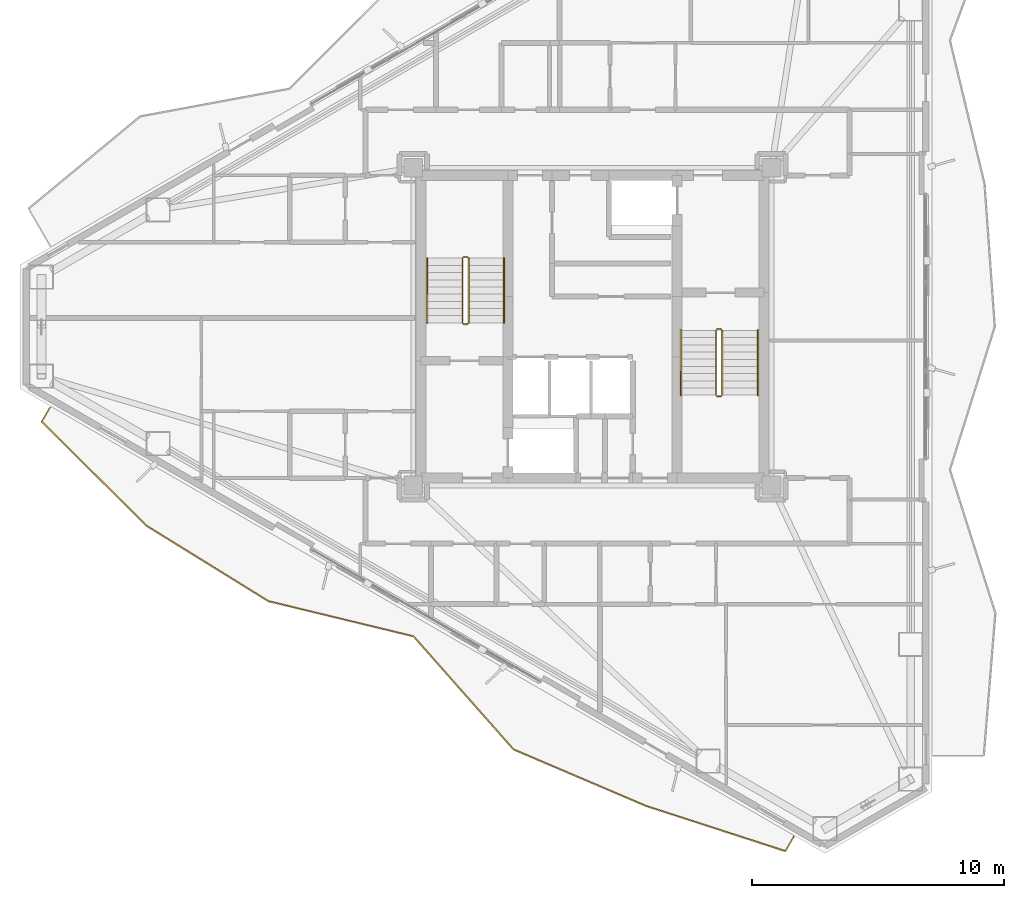
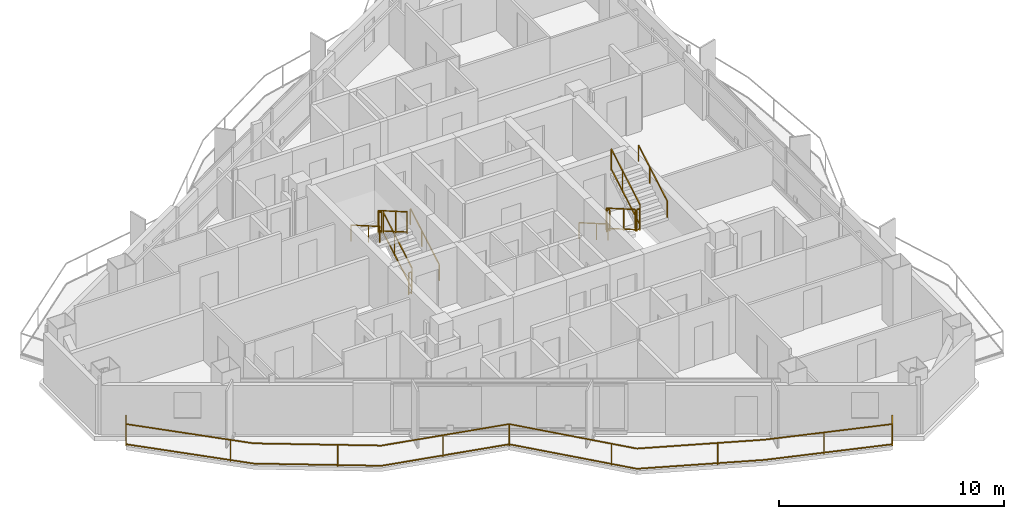
# One storey, part 18 of 19: 13 railings.
"""IFC4 building model written with IfcOpenShell, lengths in metres."""

from ifc_helpers import new_model, si_unit, direction, frame, origin, origin_2d, place, context, subcontext, project, spatial, rectangle, extrude, material, type_object, element, save


model = new_model("IFC4")

# Units and contexts
model_context = context("Model", 3, precision=1e-05, world=origin(), true_north=direction((0.0, 1.0)))
body_context = subcontext(model_context, "Body", "Model", "MODEL_VIEW")
ifc_project = project(units=[si_unit("LENGTHUNIT", "METRE"), si_unit("AREAUNIT", "SQUARE_METRE"), si_unit("VOLUMEUNIT", "CUBIC_METRE"), si_unit("PLANEANGLEUNIT", "RADIAN"), si_unit("MASSUNIT", "GRAM", prefix="KILO")], contexts=[model_context])

# Site, building, storey
site_placement = place(None, origin())
site = spatial("IfcSite", under=ifc_project, at=site_placement, CompositionType="ELEMENT")
building_placement = place(site_placement, origin())
building = spatial("IfcBuilding", under=site, at=building_placement, Name="Mersakhor Tower and Convention Hall", CompositionType="ELEMENT")
storey_placement = place(building_placement, frame((0.0, 0.0, 144.300048828125)))
storey = spatial("IfcBuildingStorey", under=building, at=storey_placement, Name="L40", CompositionType="ELEMENT", Elevation=144.300048828125)

# Railings
ifc_material_1 = material(Name="Powder-coated galvanised steel and laminated glass balustrade", Category="steel")
railing_type_1 = type_object("IfcRailingType", Name="RL-BAL-1200", PredefinedType="BALUSTRADE", material=ifc_material_1)
railing_1_placement = place(storey_placement, frame((7.497802734375, 23.5537109375, 0.0)))
element("IfcRailing", 1, at=railing_1_placement, inside=storey, type_object=railing_type_1, Name="L40 Sinusoidal Balcony Balustrade F3", PredefinedType="BALUSTRADE", context=body_context, shape_type="SweptSolid", body=[
    extrude(rectangle(XDim=0.048095703125, YDim=0.048095703125, at=origin_2d()), frame((0.0, 0.0, 1.17578125), z_axis=(-0.50017749597, -0.865922902183, 0.0), x_axis=(0.865922902183, -0.50017749597, 0.0)), (0.0, 0.0, 1.0), 0.650146484375),
    extrude(rectangle(XDim=0.048095703125, YDim=0.048095703125, at=origin_2d()), frame((0.0, 0.0, 0.080078125), z_axis=(-0.50017749597, -0.865922902183, 0.0), x_axis=(0.865922902183, -0.50017749597, 0.0)), (0.0, 0.0, 1.0), 0.650146484375),
    extrude(rectangle(XDim=0.048095703125, YDim=0.048095703125, at=origin_2d()), frame((-0.3251953125, -0.56298828125, 1.17578125), z_axis=(0.709992259671, -0.704209479635, 0.0), x_axis=(0.704209479635, 0.709992259671, 0.0)), (0.0, 0.0, 1.0), 5.868408203125),
    extrude(rectangle(XDim=0.048095703125, YDim=0.048095703125, at=origin_2d()), frame((-0.3251953125, -0.56298828125, 0.080078125), z_axis=(0.709992259671, -0.704209479635, 0.0), x_axis=(0.704209479635, 0.709992259671, 0.0)), (0.0, 0.0, 1.0), 5.868408203125),
    extrude(rectangle(XDim=0.048095703125, YDim=0.048095703125, at=origin_2d()), frame((3.84130859375, -4.695556640625, 1.17578125), z_axis=(0.850482288722, -0.526003684939, 0.0), x_axis=(0.526003684939, 0.850482288722, 0.0)), (0.0, 0.0, 1.0), 5.677001953125),
    extrude(rectangle(XDim=0.048095703125, YDim=0.048095703125, at=origin_2d()), frame((3.84130859375, -4.695556640625, 0.080078125), z_axis=(0.850482288722, -0.526003684939, 0.0), x_axis=(0.526003684939, 0.850482288722, 0.0)), (0.0, 0.0, 1.0), 5.677001953125),
    extrude(rectangle(XDim=0.048095703125, YDim=0.048095703125, at=origin_2d()), frame((8.66943359375, -7.681640625, 1.17578125), z_axis=(0.971865569679, -0.235536227514, 0.0), x_axis=(0.235536227514, 0.971865569679, 0.0)), (0.0, 0.0, 1.0), 5.91455078125),
    extrude(rectangle(XDim=0.048095703125, YDim=0.048095703125, at=origin_2d()), frame((8.66943359375, -7.681640625, 0.080078125), z_axis=(0.971865569679, -0.235536227514, 0.0), x_axis=(0.235536227514, 0.971865569679, 0.0)), (0.0, 0.0, 1.0), 5.91455078125),
    extrude(rectangle(XDim=0.048095703125, YDim=0.048095703125, at=origin_2d()), frame((14.41748046875, -9.07470703125, 1.17578125), z_axis=(0.662429504194, -0.749124256698, 0.0), x_axis=(0.749124256698, 0.662429504194, 0.0)), (0.0, 0.0, 1.0), 5.984130859375),
    extrude(rectangle(XDim=0.048095703125, YDim=0.048095703125, at=origin_2d()), frame((14.41748046875, -9.07470703125, 0.080078125), z_axis=(0.662429504194, -0.749124256698, 0.0), x_axis=(0.749124256698, 0.662429504194, 0.0)), (0.0, 0.0, 1.0), 5.984130859375),
    extrude(rectangle(XDim=0.048095703125, YDim=0.048095703125, at=origin_2d()), frame((18.381591796875, -13.5576171875, 1.17578125), z_axis=(0.919962659082, -0.39200600237, 0.0), x_axis=(0.39200600237, 0.919962659082, 0.0)), (0.0, 0.0, 1.0), 5.716064453125),
    extrude(rectangle(XDim=0.048095703125, YDim=0.048095703125, at=origin_2d()), frame((18.381591796875, -13.5576171875, 0.080078125), z_axis=(0.919962659082, -0.39200600237, 0.0), x_axis=(0.39200600237, 0.919962659082, 0.0)), (0.0, 0.0, 1.0), 5.716064453125),
    extrude(rectangle(XDim=0.048095703125, YDim=0.048095703125, at=origin_2d()), frame((23.64013671875, -15.79833984375, 1.17578125), z_axis=(0.951243508786, -0.308440897081, 0.0), x_axis=(0.308440897081, 0.951243508786, 0.0)), (0.0, 0.0, 1.0), 5.802001953125),
    extrude(rectangle(XDim=0.048095703125, YDim=0.048095703125, at=origin_2d()), frame((23.64013671875, -15.79833984375, 0.080078125), z_axis=(0.951243508786, -0.308440897081, 0.0), x_axis=(0.308440897081, 0.951243508786, 0.0)), (0.0, 0.0, 1.0), 5.802001953125),
    extrude(rectangle(XDim=0.048095703125, YDim=0.048095703125, at=origin_2d()), frame((29.1591796875, -17.587890625, 1.17578125), z_axis=(0.500165322679, 0.865929933649, 0.0), x_axis=(-0.865929933649, 0.500165322679, 0.0)), (0.0, 0.0, 1.0), 0.652099609375),
    extrude(rectangle(XDim=0.048095703125, YDim=0.048095703125, at=origin_2d()), frame((29.1591796875, -17.587890625, 0.080078125), z_axis=(0.500165322679, 0.865929933649, 0.0), x_axis=(-0.865929933649, 0.500165322679, 0.0)), (0.0, 0.0, 1.0), 0.652099609375),
    extrude(rectangle(XDim=0.0419921875, YDim=0.0419921875, at=origin_2d()), origin(), (0.0, 0.0, 1.0), 1.15185546875),
    extrude(rectangle(XDim=0.0419921875, YDim=0.0419921875, at=origin_2d()), frame((-0.3251953125, -0.56298828125, 0.0)), (0.0, 0.0, 1.0), 1.15185546875),
    extrude(rectangle(XDim=0.0419921875, YDim=0.0419921875, at=origin_2d()), frame((3.082763671875, -3.943115234375, 0.0)), (0.0, 0.0, 1.0), 1.15185546875),
    extrude(rectangle(XDim=0.0419921875, YDim=0.0419921875, at=origin_2d()), frame((7.014892578125, -6.658447265625, 0.0)), (0.0, 0.0, 1.0), 1.15185546875),
    extrude(rectangle(XDim=0.0419921875, YDim=0.0419921875, at=origin_2d()), frame((11.44384765625, -8.35400390625, 0.0)), (0.0, 0.0, 1.0), 1.15185546875),
    extrude(rectangle(XDim=0.0419921875, YDim=0.0419921875, at=origin_2d()), frame((14.41748046875, -9.07470703125, 0.0)), (0.0, 0.0, 1.0), 1.15185546875),
    extrude(rectangle(XDim=0.0419921875, YDim=0.0419921875, at=origin_2d()), frame((17.59716796875, -12.67041015625, 0.0)), (0.0, 0.0, 1.0), 1.15185546875),
    extrude(rectangle(XDim=0.0419921875, YDim=0.0419921875, at=origin_2d()), frame((21.7080078125, -14.97509765625, 0.0)), (0.0, 0.0, 1.0), 1.15185546875),
    extrude(rectangle(XDim=0.0419921875, YDim=0.0419921875, at=origin_2d()), frame((26.208251953125, -16.631103515625, 0.0)), (0.0, 0.0, 1.0), 1.15185546875),
    extrude(rectangle(XDim=0.0419921875, YDim=0.0419921875, at=origin_2d()), frame((29.1591796875, -17.587890625, 0.0)), (0.0, 0.0, 1.0), 1.15185546875),
    extrude(rectangle(XDim=0.0419921875, YDim=0.0419921875, at=origin_2d()), frame((29.4853515625, -17.023193359375, 0.0)), (0.0, 0.0, 1.0), 1.15185546875),
])
ifc_material_2 = material(Name="Brushed stainless steel handrail", Category="steel")
railing_type_2 = type_object("IfcRailingType", Name="RL-HR-900", PredefinedType="HANDRAIL", material=ifc_material_2)
railing_2_placement = place(storey_placement, frame((25.5, 26.89990234375, 0.1650390625)))
element("IfcRailing", 2, at=railing_2_placement, inside=storey, type_object=railing_type_2, Name="L40 ST-1 stair handrail 1", PredefinedType="HANDRAIL", context=body_context, shape_type="SweptSolid", body=[
    extrude(rectangle(XDim=0.048095703125, YDim=0.048095703125, at=origin_2d()), frame((0.0, 0.0, 0.8759765625), z_axis=(0.0, 0.865461999751, 0.500974577186), x_axis=(-1.0, 0.0, 0.0)), (0.0, 0.0, 1.0), 2.9638671875),
    extrude(rectangle(XDim=0.0419921875, YDim=0.0419921875, at=origin_2d()), origin(), (0.0, 0.0, 1.0), 0.851806640625),
    extrude(rectangle(XDim=0.0419921875, YDim=0.0419921875, at=origin_2d()), frame((0.0, 1.557861328125, 0.90185546875)), (0.0, 0.0, 1.0), 0.851806640625),
    extrude(rectangle(XDim=0.0419921875, YDim=0.0419921875, at=origin_2d()), frame((0.0, 2.565185546875, 1.48486328125)), (0.0, 0.0, 1.0), 0.851806640625),
])
railing_3_placement = place(storey_placement, frame((22.449951171875, 29.465087890625, 1.81494140625)))
element("IfcRailing", 3, at=railing_3_placement, inside=storey, type_object=railing_type_2, Name="L40 ST-1 stair handrail 2", PredefinedType="HANDRAIL", context=body_context, shape_type="SweptSolid", body=[
    extrude(rectangle(XDim=0.048095703125, YDim=0.048095703125, at=origin_2d()), frame((0.0, 0.0, 0.8759765625), z_axis=(0.0, -0.865426285481, 0.501036270542), x_axis=(1.0, 0.0, 0.0)), (0.0, 0.0, 1.0), 2.964111328125),
    extrude(rectangle(XDim=0.0419921875, YDim=0.0419921875, at=origin_2d()), origin(), (0.0, 0.0, 1.0), 0.851806640625),
    extrude(rectangle(XDim=0.0419921875, YDim=0.0419921875, at=origin_2d()), frame((0.0, -1.557861328125, 0.90185546875)), (0.0, 0.0, 1.0), 0.851806640625),
    extrude(rectangle(XDim=0.0419921875, YDim=0.0419921875, at=origin_2d()), frame((0.0, -2.565185546875, 1.485107421875)), (0.0, 0.0, 1.0), 0.851806640625),
])
railing_4_placement = place(storey_placement, frame((32.5, 26.60009765625, 0.1650390625)))
element("IfcRailing", 4, at=railing_4_placement, inside=storey, type_object=railing_type_2, Name="L40 ST-2 stair handrail 1", PredefinedType="HANDRAIL", context=body_context, shape_type="SweptSolid", body=[
    extrude(rectangle(XDim=0.048095703125, YDim=0.048095703125, at=origin_2d()), frame((0.0, 0.0, 0.8759765625), z_axis=(0.0, -0.865461999751, 0.500974577186), x_axis=(1.0, 0.0, 0.0)), (0.0, 0.0, 1.0), 2.9638671875),
    extrude(rectangle(XDim=0.0419921875, YDim=0.0419921875, at=origin_2d()), origin(), (0.0, 0.0, 1.0), 0.851806640625),
    extrude(rectangle(XDim=0.0419921875, YDim=0.0419921875, at=origin_2d()), frame((0.0, -1.557861328125, 0.90185546875)), (0.0, 0.0, 1.0), 0.851806640625),
    extrude(rectangle(XDim=0.0419921875, YDim=0.0419921875, at=origin_2d()), frame((0.0, -2.565185546875, 1.48486328125)), (0.0, 0.0, 1.0), 0.851806640625),
])
railing_5_placement = place(storey_placement, frame((35.550048828125, 24.034912109375, 1.81494140625)))
element("IfcRailing", 5, at=railing_5_placement, inside=storey, type_object=railing_type_2, Name="L40 ST-2 stair handrail 2", PredefinedType="HANDRAIL", context=body_context, shape_type="SweptSolid", body=[
    extrude(rectangle(XDim=0.048095703125, YDim=0.048095703125, at=origin_2d()), frame((0.0, 0.0, 0.8759765625), z_axis=(0.0, 0.865426285481, 0.501036270542), x_axis=(-1.0, 0.0, 0.0)), (0.0, 0.0, 1.0), 2.964111328125),
    extrude(rectangle(XDim=0.0419921875, YDim=0.0419921875, at=origin_2d()), origin(), (0.0, 0.0, 1.0), 0.851806640625),
    extrude(rectangle(XDim=0.0419921875, YDim=0.0419921875, at=origin_2d()), frame((0.0, 1.557861328125, 0.90185546875)), (0.0, 0.0, 1.0), 0.851806640625),
    extrude(rectangle(XDim=0.0419921875, YDim=0.0419921875, at=origin_2d()), frame((0.0, 2.565185546875, 1.485107421875)), (0.0, 0.0, 1.0), 0.851806640625),
])
ifc_material_3 = material(Name="Painted steel stair balustrade S355", Category="steel")
railing_type_3 = type_object("IfcRailingType", Name="RL-STG-1200", PredefinedType="BALUSTRADE", material=ifc_material_3)
railing_6_placement = place(storey_placement, frame((24.10009765625, 26.89990234375, 0.1650390625)))
element("IfcRailing", 6, at=railing_6_placement, inside=storey, type_object=railing_type_3, Name="L40 ST-1 stair guard 1", PredefinedType="BALUSTRADE", context=body_context, shape_type="SweptSolid", body=[
    extrude(rectangle(XDim=0.048095703125, YDim=0.048095703125, at=origin_2d()), frame((0.0, 0.0, 1.17578125), z_axis=(0.0, 0.865461999751, 0.500974577186), x_axis=(-1.0, 0.0, 0.0)), (0.0, 0.0, 1.0), 2.9638671875),
    extrude(rectangle(XDim=0.048095703125, YDim=0.048095703125, at=origin_2d()), frame((0.0, 0.0, 0.080078125), z_axis=(0.0, 0.865461999751, 0.500974577186), x_axis=(-1.0, 0.0, 0.0)), (0.0, 0.0, 1.0), 2.9638671875),
    extrude(rectangle(XDim=0.0419921875, YDim=0.0419921875, at=origin_2d()), origin(), (0.0, 0.0, 1.0), 1.15185546875),
    extrude(rectangle(XDim=0.0419921875, YDim=0.0419921875, at=origin_2d()), frame((0.0, 1.557861328125, 0.90185546875)), (0.0, 0.0, 1.0), 1.15185546875),
    extrude(rectangle(XDim=0.0419921875, YDim=0.0419921875, at=origin_2d()), frame((0.0, 2.565185546875, 1.48486328125)), (0.0, 0.0, 1.0), 1.15185546875),
])
railing_7_placement = place(storey_placement, frame((24.050048828125, 29.514892578125, 1.64990234375)))
element("IfcRailing", 7, at=railing_7_placement, inside=storey, type_object=railing_type_3, Name="L40 ST-1 stair guard 2", PredefinedType="BALUSTRADE", context=body_context, shape_type="SweptSolid", body=[
    extrude(rectangle(XDim=0.048095703125, YDim=0.048095703125, at=origin_2d()), frame((0.0, 0.0, 1.17578125), z_axis=(-1.0, 0.0, 0.0), x_axis=(0.0, -1.0, 0.0)), (0.0, 0.0, 1.0), 0.150146484375),
    extrude(rectangle(XDim=0.048095703125, YDim=0.048095703125, at=origin_2d()), frame((0.0, 0.0, 0.080078125), z_axis=(-1.0, 0.0, 0.0), x_axis=(0.0, -1.0, 0.0)), (0.0, 0.0, 1.0), 0.150146484375),
    extrude(rectangle(XDim=0.0419921875, YDim=0.0419921875, at=origin_2d()), origin(), (0.0, 0.0, 1.0), 1.15185546875),
    extrude(rectangle(XDim=0.0419921875, YDim=0.0419921875, at=origin_2d()), frame((-0.150146484375, 0.0, 0.0)), (0.0, 0.0, 1.0), 1.15185546875),
])
railing_8_placement = place(storey_placement, frame((23.85009765625, 29.465087890625, 1.81494140625)))
element("IfcRailing", 8, at=railing_8_placement, inside=storey, type_object=railing_type_3, Name="L40 ST-1 stair guard 3", PredefinedType="BALUSTRADE", context=body_context, shape_type="SweptSolid", body=[
    extrude(rectangle(XDim=0.048095703125, YDim=0.048095703125, at=origin_2d()), frame((0.0, 0.0, 1.17578125), z_axis=(0.0, -0.865426285481, 0.501036270542), x_axis=(1.0, 0.0, 0.0)), (0.0, 0.0, 1.0), 2.964111328125),
    extrude(rectangle(XDim=0.048095703125, YDim=0.048095703125, at=origin_2d()), frame((0.0, 0.0, 0.080078125), z_axis=(0.0, -0.865426285481, 0.501036270542), x_axis=(1.0, 0.0, 0.0)), (0.0, 0.0, 1.0), 2.964111328125),
    extrude(rectangle(XDim=0.0419921875, YDim=0.0419921875, at=origin_2d()), origin(), (0.0, 0.0, 1.0), 1.15185546875),
    extrude(rectangle(XDim=0.0419921875, YDim=0.0419921875, at=origin_2d()), frame((0.0, -1.557861328125, 0.90185546875)), (0.0, 0.0, 1.0), 1.15185546875),
    extrude(rectangle(XDim=0.0419921875, YDim=0.0419921875, at=origin_2d()), frame((0.0, -2.565185546875, 1.485107421875)), (0.0, 0.0, 1.0), 1.15185546875),
])
railing_9_placement = place(storey_placement, frame((24.050048828125, 26.85009765625, 0.0)))
element("IfcRailing", 9, at=railing_9_placement, inside=storey, type_object=railing_type_3, Name="L40 ST-1 stair guard 4", PredefinedType="BALUSTRADE", context=body_context, shape_type="SweptSolid", body=[
    extrude(rectangle(XDim=0.048095703125, YDim=0.048095703125, at=origin_2d()), frame((0.0, 0.0, 1.17578125), z_axis=(-1.0, 0.0, 0.0), x_axis=(0.0, -1.0, 0.0)), (0.0, 0.0, 1.0), 0.150146484375),
    extrude(rectangle(XDim=0.048095703125, YDim=0.048095703125, at=origin_2d()), frame((0.0, 0.0, 0.080078125), z_axis=(-1.0, 0.0, 0.0), x_axis=(0.0, -1.0, 0.0)), (0.0, 0.0, 1.0), 0.150146484375),
    extrude(rectangle(XDim=0.0419921875, YDim=0.0419921875, at=origin_2d()), origin(), (0.0, 0.0, 1.0), 1.15185546875),
    extrude(rectangle(XDim=0.0419921875, YDim=0.0419921875, at=origin_2d()), frame((-0.150146484375, 0.0, 0.0)), (0.0, 0.0, 1.0), 1.15185546875),
])
railing_10_placement = place(storey_placement, frame((33.89990234375, 26.60009765625, 0.1650390625)))
element("IfcRailing", 10, at=railing_10_placement, inside=storey, type_object=railing_type_3, Name="L40 ST-2 stair guard 1", PredefinedType="BALUSTRADE", context=body_context, shape_type="SweptSolid", body=[
    extrude(rectangle(XDim=0.048095703125, YDim=0.048095703125, at=origin_2d()), frame((0.0, 0.0, 1.17578125), z_axis=(0.0, -0.865461999751, 0.500974577186), x_axis=(1.0, 0.0, 0.0)), (0.0, 0.0, 1.0), 2.9638671875),
    extrude(rectangle(XDim=0.048095703125, YDim=0.048095703125, at=origin_2d()), frame((0.0, 0.0, 0.080078125), z_axis=(0.0, -0.865461999751, 0.500974577186), x_axis=(1.0, 0.0, 0.0)), (0.0, 0.0, 1.0), 2.9638671875),
    extrude(rectangle(XDim=0.0419921875, YDim=0.0419921875, at=origin_2d()), origin(), (0.0, 0.0, 1.0), 1.15185546875),
    extrude(rectangle(XDim=0.0419921875, YDim=0.0419921875, at=origin_2d()), frame((0.0, -1.557861328125, 0.90185546875)), (0.0, 0.0, 1.0), 1.15185546875),
    extrude(rectangle(XDim=0.0419921875, YDim=0.0419921875, at=origin_2d()), frame((0.0, -2.565185546875, 1.48486328125)), (0.0, 0.0, 1.0), 1.15185546875),
])
railing_11_placement = place(storey_placement, frame((33.949951171875, 23.985107421875, 1.64990234375)))
element("IfcRailing", 11, at=railing_11_placement, inside=storey, type_object=railing_type_3, Name="L40 ST-2 stair guard 2", PredefinedType="BALUSTRADE", context=body_context, shape_type="SweptSolid", body=[
    extrude(rectangle(XDim=0.048095703125, YDim=0.048095703125, at=origin_2d()), frame((0.0, 0.0, 1.17578125), z_axis=(1.0, 0.0, 0.0), x_axis=(0.0, 1.0, 0.0)), (0.0, 0.0, 1.0), 0.150146484375),
    extrude(rectangle(XDim=0.048095703125, YDim=0.048095703125, at=origin_2d()), frame((0.0, 0.0, 0.080078125), z_axis=(1.0, 0.0, 0.0), x_axis=(0.0, 1.0, 0.0)), (0.0, 0.0, 1.0), 0.150146484375),
    extrude(rectangle(XDim=0.0419921875, YDim=0.0419921875, at=origin_2d()), origin(), (0.0, 0.0, 1.0), 1.15185546875),
    extrude(rectangle(XDim=0.0419921875, YDim=0.0419921875, at=origin_2d()), frame((0.150146484375, 0.0, 0.0)), (0.0, 0.0, 1.0), 1.15185546875),
])
railing_12_placement = place(storey_placement, frame((34.14990234375, 24.034912109375, 1.81494140625)))
element("IfcRailing", 12, at=railing_12_placement, inside=storey, type_object=railing_type_3, Name="L40 ST-2 stair guard 3", PredefinedType="BALUSTRADE", context=body_context, shape_type="SweptSolid", body=[
    extrude(rectangle(XDim=0.048095703125, YDim=0.048095703125, at=origin_2d()), frame((0.0, 0.0, 1.17578125), z_axis=(0.0, 0.865426285481, 0.501036270542), x_axis=(-1.0, 0.0, 0.0)), (0.0, 0.0, 1.0), 2.964111328125),
    extrude(rectangle(XDim=0.048095703125, YDim=0.048095703125, at=origin_2d()), frame((0.0, 0.0, 0.080078125), z_axis=(0.0, 0.865426285481, 0.501036270542), x_axis=(-1.0, 0.0, 0.0)), (0.0, 0.0, 1.0), 2.964111328125),
    extrude(rectangle(XDim=0.0419921875, YDim=0.0419921875, at=origin_2d()), origin(), (0.0, 0.0, 1.0), 1.15185546875),
    extrude(rectangle(XDim=0.0419921875, YDim=0.0419921875, at=origin_2d()), frame((0.0, 1.557861328125, 0.90185546875)), (0.0, 0.0, 1.0), 1.15185546875),
    extrude(rectangle(XDim=0.0419921875, YDim=0.0419921875, at=origin_2d()), frame((0.0, 2.565185546875, 1.485107421875)), (0.0, 0.0, 1.0), 1.15185546875),
])
railing_13_placement = place(storey_placement, frame((33.949951171875, 26.64990234375, 0.0)))
element("IfcRailing", 13, at=railing_13_placement, inside=storey, type_object=railing_type_3, Name="L40 ST-2 stair guard 4", PredefinedType="BALUSTRADE", context=body_context, shape_type="SweptSolid", body=[
    extrude(rectangle(XDim=0.048095703125, YDim=0.048095703125, at=origin_2d()), frame((0.0, 0.0, 1.17578125), z_axis=(1.0, 0.0, 0.0), x_axis=(0.0, 1.0, 0.0)), (0.0, 0.0, 1.0), 0.150146484375),
    extrude(rectangle(XDim=0.048095703125, YDim=0.048095703125, at=origin_2d()), frame((0.0, 0.0, 0.080078125), z_axis=(1.0, 0.0, 0.0), x_axis=(0.0, 1.0, 0.0)), (0.0, 0.0, 1.0), 0.150146484375),
    extrude(rectangle(XDim=0.0419921875, YDim=0.0419921875, at=origin_2d()), origin(), (0.0, 0.0, 1.0), 1.15185546875),
    extrude(rectangle(XDim=0.0419921875, YDim=0.0419921875, at=origin_2d()), frame((0.150146484375, 0.0, 0.0)), (0.0, 0.0, 1.0), 1.15185546875),
])

save(model, "model.ifc")
